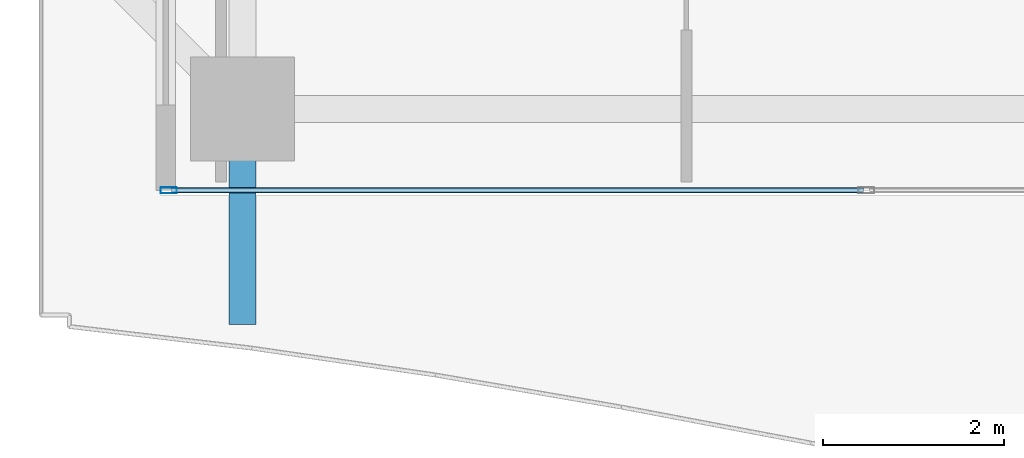
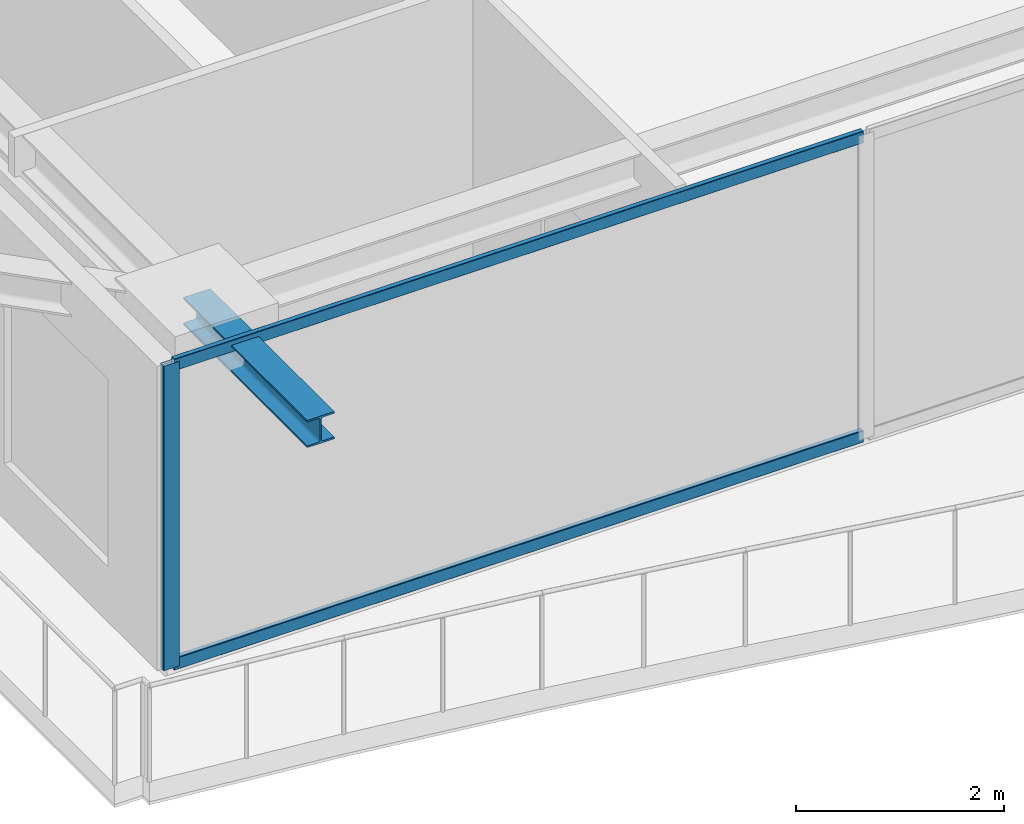
# One storey, part 2 of 35: 3 members, 1 beam, 1 element without a shape of its own.
"""IFC4 building model written with IfcOpenShell, lengths in metres."""

from ifc_helpers import new_model, si_unit, direction, frame, origin, origin_2d, place, context, subcontext, project, spatial, hollow_rectangle, i_section, extrude, source, transform, mapped, material, layer, layer_set, material_profile, profile_set, type_object, element, aggregate, save


model = new_model("IFC4")

# Units and contexts
model_context = context("Model", 3, precision=1e-05, world=origin(), true_north=direction((0.0, 1.0)))
body_context = subcontext(model_context, "Body", "Model", "MODEL_VIEW")
ifc_project = project(units=[si_unit("LENGTHUNIT", "METRE"), si_unit("AREAUNIT", "SQUARE_METRE"), si_unit("VOLUMEUNIT", "CUBIC_METRE"), si_unit("PLANEANGLEUNIT", "RADIAN"), si_unit("MASSUNIT", "GRAM", prefix="KILO")], contexts=[model_context])

# Site, building, storey
site_placement = place(None, origin())
site = spatial("IfcSite", under=ifc_project, at=site_placement, CompositionType="ELEMENT")
building_placement = place(site_placement, origin())
building = spatial("IfcBuilding", under=site, at=building_placement, Name="Serunith Strait Residences", CompositionType="ELEMENT")
storey_placement = place(building_placement, frame((0.0, 0.0, 210.449951171875)))
storey = spatial("IfcBuildingStorey", under=building, at=storey_placement, Name="L52", CompositionType="ELEMENT", Elevation=210.449951171875)

# Beam
ifc_material_1 = material(Name="Steel S355J2", Category="steel")
ifc_material_profile_1 = material_profile(ifc_material_1, i_section(OverallWidth=0.300048828125, OverallDepth=0.320068359375, WebThickness=0.011474609375, FlangeThickness=0.0205078125, FilletRadius=0.027099609375, at=origin_2d()), Name="HEB 320")
ifc_profile_set_1 = profile_set([ifc_material_profile_1], Name="Steel S355J2")
beam_type = type_object("IfcBeamType", Name="BM-HEB320", PredefinedType="BEAM", material=ifc_profile_set_1)
shared_shape_1 = source(origin(), body_context, "Body", "SweptSolid", [
    extrude(i_section(OverallWidth=0.300048828125, OverallDepth=0.320068359375, WebThickness=0.011474609375, FlangeThickness=0.0205078125, FilletRadius=0.027099609375, at=origin_2d()), origin(), (0.0, 0.0, 1.0), 2.38427734375),
])
beam_placement = place(storey_placement, frame((16.25, 2.10009765625, 3.39697265625), z_axis=(0.0, -1.0, 0.0), x_axis=(1.0, 0.0, 0.0)))
element("IfcBeam", 1, at=beam_placement, inside=storey, type_object=beam_type, Name="L53 Cantilevered Balcony Rib TC-S1", PredefinedType="BEAM", context=body_context, shape_type="MappedRepresentation", body=[
    mapped(shared_shape_1, transform((0.0, 0.0, 0.0), scale=1.0)),
])

# Curtain wall, members
ifc_material_2 = material(Name="Pale-Champagne Anodised Aluminium", Category="aluminium")
ifc_layer = layer(ifc_material_2, 0.199951171875, Name="Pale-Champagne Anodised Aluminium")
ifc_layer_set = layer_set([ifc_layer], Name="Pale-Champagne Anodised Aluminium")
curtain_wall_type = type_object("IfcCurtainWallType", Name="CW-SYS4", PredefinedType="NOTDEFINED", material=ifc_layer_set)
curtain_wall_placement = place(storey_placement, origin())
curtain_wall = element("IfcCurtainWall", 2, at=curtain_wall_placement, inside=storey, type_object=curtain_wall_type, Name="L52 S Unitised Fritted Curtain Wall", PredefinedType="NOTDEFINED")
ifc_material_profile_2 = material_profile(ifc_material_2, hollow_rectangle(XDim=0.06494140625, YDim=0.179931640625, WallThickness=0.00341796875, InnerFilletRadius=0.00537109375, OuterFilletRadius=0.0087890625, at=origin_2d()), Name="ALU 180x65x3.5")
ifc_profile_set_2 = profile_set([ifc_material_profile_2], Name="Pale-Champagne Anodised Aluminium")
member_type_1 = type_object("IfcMemberType", Name="CW-SYS4-MULL", PredefinedType="MULLION", material=ifc_profile_set_2)
shared_shape_2 = source(origin(), body_context, "Body", "SweptSolid", [
    extrude(hollow_rectangle(XDim=0.06494140625, YDim=0.179931640625, WallThickness=0.00341796875, InnerFilletRadius=0.00537109375, OuterFilletRadius=0.0087890625, at=origin_2d()), origin(), (0.0, 0.0, 1.0), 3.574951171875),
])
member_1_placement = place(storey_placement, frame((15.4326171875, 1.199951171875, 0.0), z_axis=(0.0, 0.0, 1.0), x_axis=(0.0, 1.0, 0.0)))
member_1 = element("IfcMember", 3, at=member_1_placement, type_object=member_type_1, Name="CW-4 mullion 1", PredefinedType="MULLION", context=body_context, shape_type="MappedRepresentation", body=[
    mapped(shared_shape_2, transform((0.0, 0.0, 0.0), scale=1.0)),
])
ifc_material_profile_3 = material_profile(ifc_material_2, hollow_rectangle(XDim=0.06005859375, YDim=0.139892578125, WallThickness=0.00341796875, InnerFilletRadius=0.00537109375, OuterFilletRadius=0.0087890625, at=origin_2d()), Name="ALU 140x60x3.5")
ifc_profile_set_3 = profile_set([ifc_material_profile_3], Name="Pale-Champagne Anodised Aluminium")
member_type_2 = type_object("IfcMemberType", Name="CW-SYS4-TRAN", PredefinedType="USERDEFINED", material=ifc_profile_set_3)
shared_shape_3 = source(origin(), body_context, "Body", "SweptSolid", [
    extrude(hollow_rectangle(XDim=0.06005859375, YDim=0.139892578125, WallThickness=0.00341796875, InnerFilletRadius=0.00537109375, OuterFilletRadius=0.0087890625, at=origin_2d()), origin(), (0.0, 0.0, 1.0), 7.65234375),
])
member_2_placement = place(storey_placement, frame((15.465087890625, 1.199951171875, 0.030029296875), z_axis=(1.0, 0.0, 0.0), x_axis=(0.0, 1.0, 0.0)))
member_2 = element("IfcMember", 4, at=member_2_placement, type_object=member_type_2, Name="CW-4 transom 1.1", ObjectType="TRANSOM", PredefinedType="USERDEFINED", context=body_context, shape_type="MappedRepresentation", body=[
    mapped(shared_shape_3, transform((0.0, 0.0, 0.0), scale=1.0)),
])
member_3_placement = place(storey_placement, frame((15.465087890625, 1.199951171875, 3.545166015625), z_axis=(1.0, 0.0, 0.0), x_axis=(0.0, 1.0, 0.0)))
member_3 = element("IfcMember", 5, at=member_3_placement, type_object=member_type_2, Name="CW-4 transom 1.2", ObjectType="TRANSOM", PredefinedType="USERDEFINED", context=body_context, shape_type="MappedRepresentation", body=[
    mapped(shared_shape_3, transform((0.0, 0.0, 0.0), scale=1.0)),
])
aggregate(curtain_wall, [member_1, member_2, member_3])

save(model, "model.ifc")
